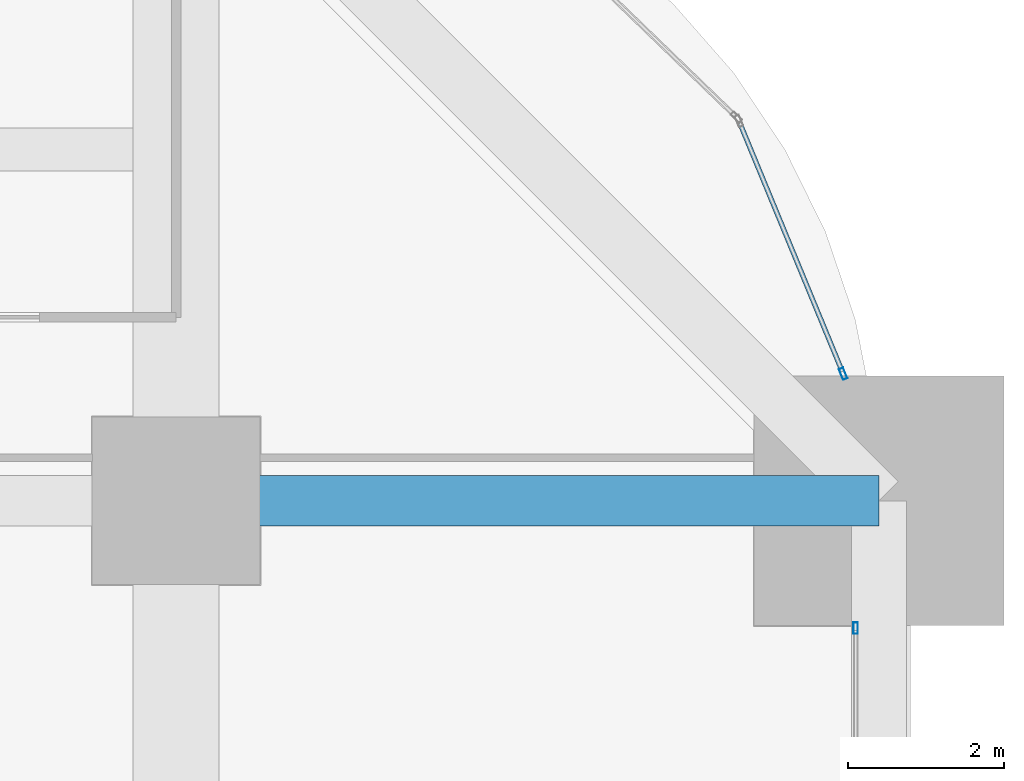
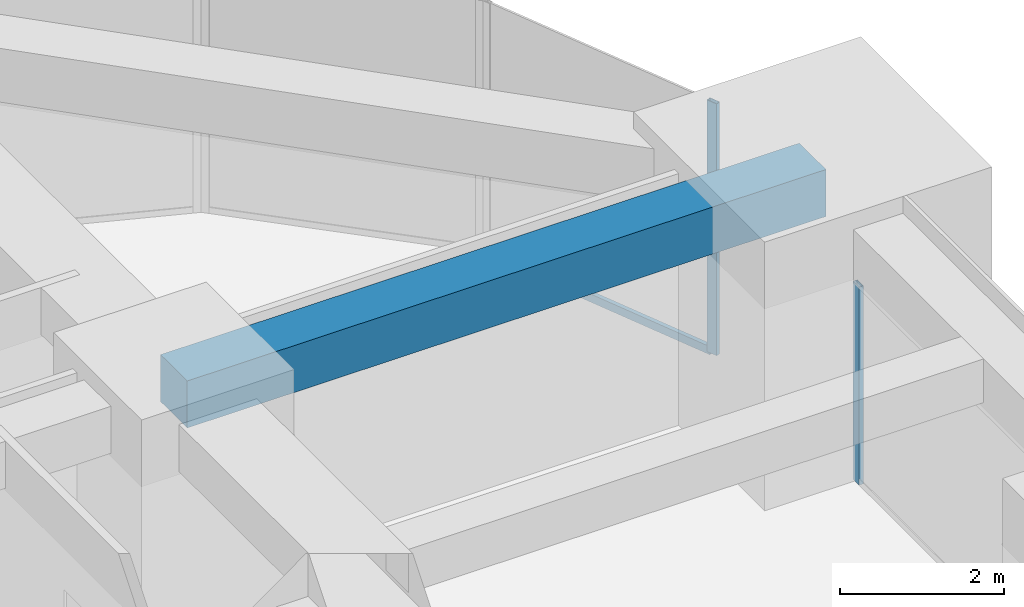
# One storey, part 33 of 41: 3 members, 1 beam, 2 elements without a shape of their own.
"""IFC4 building model written with IfcOpenShell, lengths in metres."""

from ifc_helpers import new_model, si_unit, direction, frame, origin, origin_2d, place, context, subcontext, project, spatial, rectangle, hollow_rectangle, extrude, material, material_profile, profile_set, type_object, element, aggregate, save


model = new_model("IFC4")

# Units and contexts
model_context = context("Model", 3, precision=1e-05, world=origin(), true_north=direction((0.0, 1.0)))
body_context = subcontext(model_context, "Body", "Model", "MODEL_VIEW")
ifc_project = project(units=[si_unit("LENGTHUNIT", "METRE"), si_unit("AREAUNIT", "SQUARE_METRE"), si_unit("VOLUMEUNIT", "CUBIC_METRE"), si_unit("PLANEANGLEUNIT", "RADIAN"), si_unit("MASSUNIT", "GRAM", prefix="KILO")], contexts=[model_context])

# Site, building, storey
site_placement = place(None, origin())
site = spatial("IfcSite", under=ifc_project, at=site_placement, CompositionType="ELEMENT")
building_placement = place(site_placement, origin())
building = spatial("IfcBuilding", under=site, at=building_placement, Name="Zorevar Civic Tower", CompositionType="ELEMENT")
storey_placement = place(building_placement, frame((0.0, 0.0, 89.0)))
storey = spatial("IfcBuildingStorey", under=building, at=storey_placement, Name="L21", CompositionType="ELEMENT", Elevation=89.0)

# Beam
ifc_material_1 = material(Name="Concrete C50/60", Category="concrete")
ifc_material_profile_1 = material_profile(ifc_material_1, rectangle(XDim=0.64990234375, YDim=0.699951171875, at=origin_2d()), Name="RC 650x700")
ifc_profile_set_1 = profile_set([ifc_material_profile_1], Name="Concrete C50/60")
beam_type = type_object("IfcBeamType", Name="Beam RC 650x700", PredefinedType="BEAM", material=ifc_profile_set_1)
beam_placement = place(storey_placement, frame((54.0, 36.0, 3.39990234375), z_axis=(1.0, 0.0, 0.0), x_axis=(0.0, 1.0, 0.0)))
element("IfcBeam", 1, at=beam_placement, inside=storey, type_object=beam_type, Name="Girder L22", PredefinedType="BEAM", context=body_context, shape_type="SweptSolid", body=[
    extrude(rectangle(XDim=0.64990234375, YDim=0.699951171875, at=origin_2d()), origin(), (0.0, 0.0, 1.0), 9.0),
])

# Curtain wall, member
ifc_material_2 = material(Name="Dark grey solar-control glass in black aluminium frame", Category="aluminium")
curtain_wall_type = type_object("IfcCurtainWallType", Name="Curtain wall CW3 mid zone", PredefinedType="NOTDEFINED", material=ifc_material_2)
curtain_wall_1_placement = place(storey_placement, origin())
curtain_wall_1 = element("IfcCurtainWall", 2, at=curtain_wall_1_placement, inside=storey, type_object=curtain_wall_type, Name="CW3 L21", PredefinedType="NOTDEFINED")
ifc_material_3 = material(Name="Aluminium, black anodised", Category="aluminium")
ifc_material_profile_2 = material_profile(ifc_material_3, hollow_rectangle(XDim=0.06005859375, YDim=0.14990234375, WallThickness=0.00390625, at=origin_2d()), Name="AL 150x60x4")
ifc_profile_set_2 = profile_set([ifc_material_profile_2], Name="Aluminium, black anodised")
member_type_1 = type_object("IfcMemberType", Name="CW3 mullion AL 150x60x4", PredefinedType="MULLION", material=ifc_profile_set_2)
member_1_placement = place(storey_placement, frame((62.699951171875, 34.3701171875, 0.0), z_axis=(0.0, 0.0, 1.0), x_axis=(-1.0, 0.0, 0.0)))
member_1 = element("IfcMember", 3, at=member_1_placement, type_object=member_type_1, Name="CW3 mullion 2", PredefinedType="MULLION", context=body_context, shape_type="SweptSolid", body=[
    extrude(hollow_rectangle(XDim=0.06005859375, YDim=0.14990234375, WallThickness=0.00390625, at=origin_2d()), origin(), (0.0, 0.0, 1.0), 2.949951171875),
])
aggregate(curtain_wall_1, [member_1])

# Curtain wall, members
curtain_wall_2_placement = place(storey_placement, origin())
curtain_wall_2 = element("IfcCurtainWall", 4, at=curtain_wall_2_placement, inside=storey, type_object=curtain_wall_type, Name="CW3 L21", PredefinedType="NOTDEFINED")
member_2_placement = place(storey_placement, frame((62.5400390625, 37.627685546875, 0.0), z_axis=(0.0, 0.0, 1.0), x_axis=(-0.924549780803, -0.381061284858, 0.0)))
member_2 = element("IfcMember", 5, at=member_2_placement, type_object=member_type_1, Name="CW3 mullion 1", PredefinedType="MULLION", context=body_context, shape_type="SweptSolid", body=[
    extrude(hollow_rectangle(XDim=0.06005859375, YDim=0.14990234375, WallThickness=0.00390625, at=origin_2d()), origin(), (0.0, 0.0, 1.0), 3.75),
])
ifc_material_4 = material(Name="Aluminium, black anodised", Category="aluminium")
ifc_material_profile_3 = material_profile(ifc_material_4, hollow_rectangle(XDim=0.06005859375, YDim=0.1201171875, WallThickness=0.0029296875, at=origin_2d()), Name="AL 120x60x3")
ifc_profile_set_3 = profile_set([ifc_material_profile_3], Name="Aluminium, black anodised")
member_type_2 = type_object("IfcMemberType", Name="CW3 transom AL 120x60x3", PredefinedType="USERDEFINED", material=ifc_profile_set_3)
member_3_placement = place(storey_placement, frame((62.52880859375, 37.655517578125, 0.030029296875), z_axis=(-0.381114004945, 0.924528049999, 0.0), x_axis=(-0.924528049999, -0.381114004945, 0.0)))
member_3 = element("IfcMember", 6, at=member_3_placement, type_object=member_type_2, Name="CW3 sill transom", ObjectType="TRANSOM", PredefinedType="USERDEFINED", context=body_context, shape_type="SweptSolid", body=[
    extrude(hollow_rectangle(XDim=0.06005859375, YDim=0.1201171875, WallThickness=0.0029296875, at=origin_2d()), origin(), (0.0, 0.0, 1.0), 3.438720703125),
])
aggregate(curtain_wall_2, [member_2, member_3])

save(model, "model.ifc")
